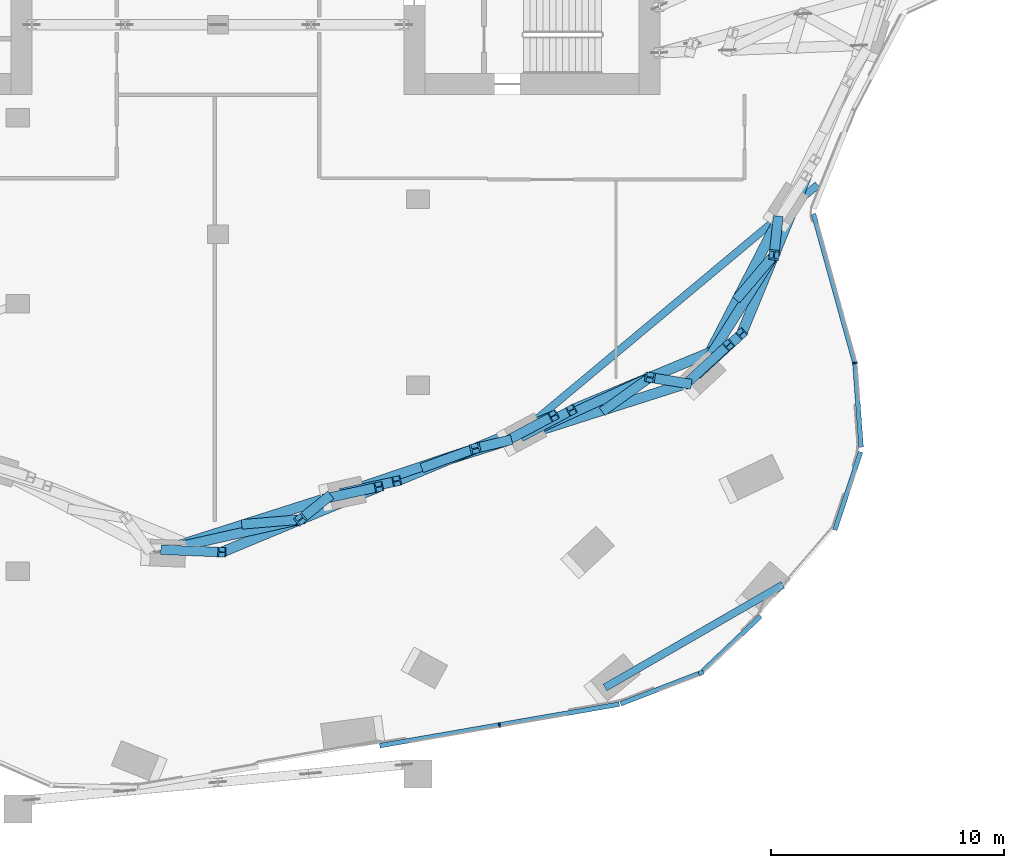
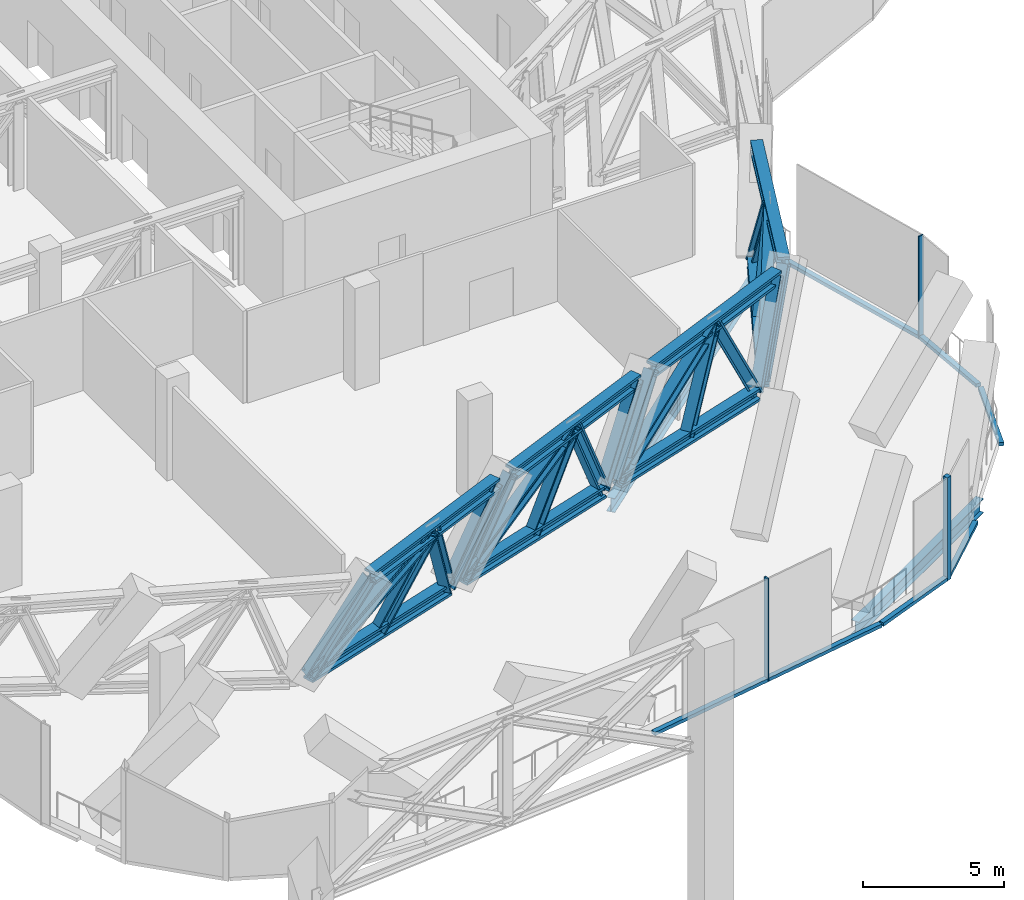
# One storey, part 4 of 31: 36 members, 2 beams, 6 elements without a shape of their own.
"""IFC4 building model written with IfcOpenShell, lengths in metres."""

from ifc_helpers import new_model, si_unit, direction, frame, origin, origin_2d, place, context, subcontext, project, spatial, rectangle, i_section, extrude, material, material_profile, profile_set, type_object, element, aggregate, save


model = new_model("IFC4")

# Units and contexts
model_context = context("Model", 3, precision=1e-05, world=origin(), true_north=direction((0.0, 1.0)))
body_context = subcontext(model_context, "Body", "Model", "MODEL_VIEW")
ifc_project = project(units=[si_unit("LENGTHUNIT", "METRE"), si_unit("AREAUNIT", "SQUARE_METRE"), si_unit("VOLUMEUNIT", "CUBIC_METRE"), si_unit("PLANEANGLEUNIT", "RADIAN"), si_unit("MASSUNIT", "GRAM", prefix="KILO")], contexts=[model_context])

# Site, building, storey
site_placement = place(None, origin())
site = spatial("IfcSite", under=ifc_project, at=site_placement, CompositionType="ELEMENT")
building_placement = place(site_placement, origin())
building = spatial("IfcBuilding", under=site, at=building_placement, Name="Orlundy Tower", CompositionType="ELEMENT")
storey_placement = place(building_placement, frame((0.0, 0.0, 271.0)))
storey = spatial("IfcBuildingStorey", under=building, at=storey_placement, Name="L72", CompositionType="ELEMENT", Elevation=271.0)

# Members
ifc_material_1 = material(Name="Steel ASTM A992 Gr 50", Category="steel")
ifc_material_profile_1 = material_profile(ifc_material_1, i_section(OverallWidth=0.4423828125, OverallDepth=0.531494140625, WebThickness=0.06591796875, FlangeThickness=0.105712890625, at=origin_2d()), Name="W14X605")
ifc_profile_set_1 = profile_set([ifc_material_profile_1], Name="Steel ASTM A992 Gr 50")
member_type_1 = type_object("IfcMemberType", Name="BELT TRUSS chord W14X605", PredefinedType="CHORD", material=ifc_profile_set_1)
member_1_placement = place(storey_placement, frame((-2.279052734375, -31.578857421875, 0.28466796875), z_axis=(0.952659211219, 0.304040173793, 0.0), x_axis=(-0.304040173793, 0.952659211219, 0.0)))
element("IfcMember", 1, at=member_1_placement, inside=storey, type_object=member_type_1, Name="Belt truss bottom chord BT-06", PredefinedType="CHORD", context=body_context, shape_type="SweptSolid", body=[
    extrude(i_section(OverallWidth=0.4423828125, OverallDepth=0.531494140625, WebThickness=0.06591796875, FlangeThickness=0.105712890625, at=origin_2d()), origin(), (0.0, 0.0, 1.0), 7.311279296875),
])
member_2_placement = place(storey_placement, frame((0.172119140625, -31.6787109375, 3.71533203125), z_axis=(0.923180628651, 0.384366396664, 0.0), x_axis=(-0.384366396664, 0.923180628651, 0.0)))
element("IfcMember", 2, at=member_2_placement, inside=storey, type_object=member_type_1, Name="Belt truss top chord BT-06", PredefinedType="CHORD", context=body_context, shape_type="SweptSolid", body=[
    extrude(i_section(OverallWidth=0.4423828125, OverallDepth=0.531494140625, WebThickness=0.06591796875, FlangeThickness=0.105712890625, at=origin_2d()), origin(), (0.0, 0.0, 1.0), 7.310791015625),
])
member_3_placement = place(storey_placement, frame((5.452880859375, -29.111083984375, 0.28466796875), z_axis=(0.952662297903, 0.304030502012, 0.0), x_axis=(-0.304030502012, 0.952662297903, 0.0)))
element("IfcMember", 3, at=member_3_placement, inside=storey, type_object=member_type_1, Name="Belt truss bottom chord BT-07", PredefinedType="CHORD", context=body_context, shape_type="SweptSolid", body=[
    extrude(i_section(OverallWidth=0.4423828125, OverallDepth=0.531494140625, WebThickness=0.06591796875, FlangeThickness=0.105712890625, at=origin_2d()), origin(), (0.0, 0.0, 1.0), 7.3115234375),
])
member_4_placement = place(storey_placement, frame((7.688232421875, -28.623779296875, 3.71533203125), z_axis=(0.923180628651, 0.384366396664, 0.0), x_axis=(-0.384366396664, 0.923180628651, 0.0)))
element("IfcMember", 4, at=member_4_placement, inside=storey, type_object=member_type_1, Name="Belt truss top chord BT-07", PredefinedType="CHORD", context=body_context, shape_type="SweptSolid", body=[
    extrude(i_section(OverallWidth=0.4423828125, OverallDepth=0.531494140625, WebThickness=0.06591796875, FlangeThickness=0.105712890625, at=origin_2d()), origin(), (0.0, 0.0, 1.0), 7.310791015625),
])
member_5_placement = place(storey_placement, frame((13.18505859375, -26.6435546875, 0.28466796875), z_axis=(0.952688223983, 0.303949252154, 0.0), x_axis=(-0.303949252154, 0.952688223983, 0.0)))
element("IfcMember", 5, at=member_5_placement, inside=storey, type_object=member_type_1, Name="Belt truss bottom chord BT-08", PredefinedType="CHORD", context=body_context, shape_type="SweptSolid", body=[
    extrude(i_section(OverallWidth=0.4423828125, OverallDepth=0.531494140625, WebThickness=0.06591796875, FlangeThickness=0.105712890625, at=origin_2d()), origin(), (0.0, 0.0, 1.0), 7.31103515625),
])
member_6_placement = place(storey_placement, frame((15.204345703125, -25.569091796875, 3.71533203125), z_axis=(0.923180628651, 0.384366396664, 0.0), x_axis=(-0.384366396664, 0.923180628651, 0.0)))
element("IfcMember", 6, at=member_6_placement, inside=storey, type_object=member_type_1, Name="Belt truss top chord BT-08", PredefinedType="CHORD", context=body_context, shape_type="SweptSolid", body=[
    extrude(i_section(OverallWidth=0.4423828125, OverallDepth=0.531494140625, WebThickness=0.06591796875, FlangeThickness=0.105712890625, at=origin_2d()), origin(), (0.0, 0.0, 1.0), 7.310791015625),
])
member_7_placement = place(storey_placement, frame((20.71826171875, -23.94140625, 0.28466796875), z_axis=(0.458662481074, 0.888610560625, 0.0), x_axis=(-0.888610560625, 0.458662481074, 0.0)))
element("IfcMember", 7, at=member_7_placement, inside=storey, type_object=member_type_1, Name="Belt truss bottom chord BT-09", PredefinedType="CHORD", context=body_context, shape_type="SweptSolid", body=[
    extrude(i_section(OverallWidth=0.4423828125, OverallDepth=0.531494140625, WebThickness=0.06591796875, FlangeThickness=0.105712890625, at=origin_2d()), origin(), (0.0, 0.0, 1.0), 7.31201171875),
])
member_8_placement = place(storey_placement, frame((22.521484375, -22.279052734375, 3.71533203125), z_axis=(0.381041994543, 0.924557731239, 0.0), x_axis=(-0.924557731239, 0.381041994543, 0.0)))
element("IfcMember", 8, at=member_8_placement, inside=storey, type_object=member_type_1, Name="Belt truss top chord BT-09", PredefinedType="CHORD", context=body_context, shape_type="SweptSolid", body=[
    extrude(i_section(OverallWidth=0.4423828125, OverallDepth=0.531494140625, WebThickness=0.06591796875, FlangeThickness=0.105712890625, at=origin_2d()), origin(), (0.0, 0.0, 1.0), 7.311767578125),
])
ifc_material_2 = material(Name="Steel ASTM A992 Gr 50", Category="steel")
ifc_material_profile_2 = material_profile(ifc_material_2, i_section(OverallWidth=0.42431640625, OverallDepth=0.47412109375, WebThickness=0.0478515625, FlangeThickness=0.0771484375, at=origin_2d()), Name="W14X426")
ifc_profile_set_2 = profile_set([ifc_material_profile_2], Name="Steel ASTM A992 Gr 50")
member_type_2 = type_object("IfcMemberType", Name="BELT TRUSS diagonal W14X426", PredefinedType="BRACE", material=ifc_profile_set_2)
member_9_placement = place(storey_placement, frame((-2.279052734375, -31.578857421875, 0.28466796875), z_axis=(0.84607737973, 0.189545726524, 0.498222324937), x_axis=(-0.218610087348, 0.975812292252, 0.0)))
element("IfcMember", 9, at=member_9_placement, inside=storey, type_object=member_type_2, Name="Belt truss diagonal BT-06-0", PredefinedType="BRACE", context=body_context, shape_type="SweptSolid", body=[
    extrude(i_section(OverallWidth=0.42431640625, OverallDepth=0.47412109375, WebThickness=0.0478515625, FlangeThickness=0.0771484375, at=origin_2d()), origin(), (0.0, 0.0, 1.0), 6.8857421875),
])
member_10_placement = place(storey_placement, frame((3.546875, -30.273681640625, 3.71533203125), z_axis=(0.305443726145, 0.246070074277, -0.919866103683), x_axis=(-0.627357652643, 0.778731260237, 0.0)))
element("IfcMember", 10, at=member_10_placement, inside=storey, type_object=member_type_2, Name="Belt truss diagonal BT-06-1", PredefinedType="BRACE", context=body_context, shape_type="SweptSolid", body=[
    extrude(i_section(OverallWidth=0.42431640625, OverallDepth=0.47412109375, WebThickness=0.0478515625, FlangeThickness=0.0771484375, at=origin_2d()), origin(), (0.0, 0.0, 1.0), 3.7294921875),
])
member_11_placement = place(storey_placement, frame((5.452880859375, -29.111083984375, 0.28466796875), z_axis=(0.819865569059, 0.276511517482, 0.501359979826), x_axis=(-0.319578270648, 0.947559881448, 0.0)))
element("IfcMember", 11, at=member_11_placement, inside=storey, type_object=member_type_2, Name="Belt truss diagonal BT-07-0", PredefinedType="BRACE", context=body_context, shape_type="SweptSolid", body=[
    extrude(i_section(OverallWidth=0.42431640625, OverallDepth=0.47412109375, WebThickness=0.0478515625, FlangeThickness=0.0771484375, at=origin_2d()), origin(), (0.0, 0.0, 1.0), 6.8427734375),
])
member_12_placement = place(storey_placement, frame((11.06298828125, -27.218994140625, 3.71533203125), z_axis=(0.365935933015, 0.089325020579, -0.926343313047), x_axis=(-0.237137474204, 0.971476102809, 0.0)))
element("IfcMember", 12, at=member_12_placement, inside=storey, type_object=member_type_2, Name="Belt truss diagonal BT-07-1", PredefinedType="BRACE", context=body_context, shape_type="SweptSolid", body=[
    extrude(i_section(OverallWidth=0.42431640625, OverallDepth=0.47412109375, WebThickness=0.0478515625, FlangeThickness=0.0771484375, at=origin_2d()), origin(), (0.0, 0.0, 1.0), 3.703369140625),
])
member_13_placement = place(storey_placement, frame((13.18505859375, -26.6435546875, 0.28466796875), z_axis=(0.786692932008, 0.361620956707, 0.50034439579), x_axis=(-0.417659850972, 0.90860346075, 0.0)))
element("IfcMember", 13, at=member_13_placement, inside=storey, type_object=member_type_2, Name="Belt truss diagonal BT-08-0", PredefinedType="BRACE", context=body_context, shape_type="SweptSolid", body=[
    extrude(i_section(OverallWidth=0.42431640625, OverallDepth=0.47412109375, WebThickness=0.0478515625, FlangeThickness=0.0771484375, at=origin_2d()), origin(), (0.0, 0.0, 1.0), 6.856689453125),
])
member_14_placement = place(storey_placement, frame((18.5791015625, -24.1640625, 3.71533203125), z_axis=(0.415395771987, -0.068038406165, -0.907092678783), x_axis=(0.161637923604, 0.986850131303, 0.0)))
element("IfcMember", 14, at=member_14_placement, inside=storey, type_object=member_type_2, Name="Belt truss diagonal BT-08-1", PredefinedType="BRACE", context=body_context, shape_type="SweptSolid", body=[
    extrude(i_section(OverallWidth=0.42431640625, OverallDepth=0.47412109375, WebThickness=0.0478515625, FlangeThickness=0.0771484375, at=origin_2d()), origin(), (0.0, 0.0, 1.0), 3.781982421875),
])
member_15_placement = place(storey_placement, frame((20.71826171875, -23.94140625, 0.28466796875), z_axis=(0.464222757905, 0.732304043517, 0.498224867798), x_axis=(-0.844594724671, 0.53540615523, 0.0)))
element("IfcMember", 15, at=member_15_placement, inside=storey, type_object=member_type_2, Name="Belt truss diagonal BT-09-0", PredefinedType="BRACE", context=body_context, shape_type="SweptSolid", body=[
    extrude(i_section(OverallWidth=0.42431640625, OverallDepth=0.47412109375, WebThickness=0.0478515625, FlangeThickness=0.0771484375, at=origin_2d()), origin(), (0.0, 0.0, 1.0), 6.8857421875),
])
member_16_placement = place(storey_placement, frame((23.914794921875, -18.89892578125, 3.71533203125), z_axis=(0.042154122783, 0.390122005877, -0.91979772258), x_axis=(-0.994212827415, 0.107428365915, 0.0)))
element("IfcMember", 16, at=member_16_placement, inside=storey, type_object=member_type_2, Name="Belt truss diagonal BT-09-1", PredefinedType="BRACE", context=body_context, shape_type="SweptSolid", body=[
    extrude(i_section(OverallWidth=0.42431640625, OverallDepth=0.47412109375, WebThickness=0.0478515625, FlangeThickness=0.0771484375, at=origin_2d()), origin(), (0.0, 0.0, 1.0), 3.729736328125),
])
ifc_material_3 = material(Name="Steel ASTM A992 Gr 50", Category="steel")
ifc_material_profile_3 = material_profile(ifc_material_3, i_section(OverallWidth=0.412109375, OverallDepth=0.434814453125, WebThickness=0.035888671875, FlangeThickness=0.057373046875, at=origin_2d()), Name="W14X311")
ifc_profile_set_3 = profile_set([ifc_material_profile_3], Name="Steel ASTM A992 Gr 50")
member_type_3 = type_object("IfcMemberType", Name="BELT TRUSS post W14X311", PredefinedType="POST", material=ifc_profile_set_3)
member_17_placement = place(storey_placement, frame((-2.279052734375, -31.578857421875, 0.28466796875), z_axis=(0.581184777413, -0.023675754379, 0.813427140658), x_axis=(0.040703292086, 0.999171277616, 0.0)))
element("IfcMember", 17, at=member_17_placement, inside=storey, type_object=member_type_3, Name="Belt truss post BT-06-0", PredefinedType="POST", context=body_context, shape_type="SweptSolid", body=[
    extrude(i_section(OverallWidth=0.412109375, OverallDepth=0.434814453125, WebThickness=0.035888671875, FlangeThickness=0.057373046875, at=origin_2d()), origin(), (0.0, 0.0, 1.0), 4.217529296875),
])
member_18_placement = place(storey_placement, frame((1.20361328125, -30.46728515625, 0.28466796875), z_axis=(0.563410828624, 0.04654977986, 0.824864447158), x_axis=(-0.0823408162, 0.996604229365, 0.0)))
element("IfcMember", 18, at=member_18_placement, inside=storey, type_object=member_type_3, Name="Belt truss post BT-06-1", PredefinedType="POST", context=body_context, shape_type="SweptSolid", body=[
    extrude(i_section(OverallWidth=0.412109375, OverallDepth=0.434814453125, WebThickness=0.035888671875, FlangeThickness=0.057373046875, at=origin_2d()), origin(), (0.0, 0.0, 1.0), 4.1591796875),
])
for number, where, z_axis, x_axis, name in (
    (19, (4.68603515625, -29.35595703125, 0.28466796875), (0.542093106155, 0.118175823491, 0.83196727039), (-0.212996683357, 0.977052922251, 0.0), "Belt truss post BT-06-2"),
    (20, (5.452880859375, -29.111083984375, 0.28466796875), (0.542093106155, 0.118175823491, 0.83196727039), (-0.212996683357, 0.977052922251, 0.0), "Belt truss post BT-07-0"),
):
    element("IfcMember", number, at=place(storey_placement, frame(where, z_axis=z_axis, x_axis=x_axis)), inside=storey, type_object=member_type_3, Name=name, PredefinedType="POST", context=body_context, shape_type="SweptSolid", body=[
        extrude(i_section(OverallWidth=0.412109375, OverallDepth=0.434814453125, WebThickness=0.035888671875, FlangeThickness=0.057373046875, at=origin_2d()), origin(), (0.0, 0.0, 1.0), 4.12353515625),
    ])
member_19_placement = place(storey_placement, frame((8.935546875, -27.999755859375, 0.28466796875), z_axis=(0.517427320339, 0.189893570168, 0.834391634771), x_axis=(-0.344526866326, 0.938776458151, 0.0)))
element("IfcMember", 21, at=member_19_placement, inside=storey, type_object=member_type_3, Name="Belt truss post BT-07-1", PredefinedType="POST", context=body_context, shape_type="SweptSolid", body=[
    extrude(i_section(OverallWidth=0.412109375, OverallDepth=0.434814453125, WebThickness=0.035888671875, FlangeThickness=0.057373046875, at=origin_2d()), origin(), (0.0, 0.0, 1.0), 4.111572265625),
])
for number, where, z_axis, x_axis, name in (
    (22, (12.418212890625, -26.88818359375, 0.28466796875), (0.489728221646, 0.260584440027, 0.832022847366), (-0.469740417272, 0.882804587879, 0.0), "Belt truss post BT-07-2"),
    (23, (13.18505859375, -26.6435546875, 0.28466796875), (0.489728221646, 0.260584440027, 0.832022847366), (-0.469740417272, 0.882804587879, 0.0), "Belt truss post BT-08-0"),
):
    element("IfcMember", number, at=place(storey_placement, frame(where, z_axis=z_axis, x_axis=x_axis)), inside=storey, type_object=member_type_3, Name=name, PredefinedType="POST", context=body_context, shape_type="SweptSolid", body=[
        extrude(i_section(OverallWidth=0.412109375, OverallDepth=0.434814453125, WebThickness=0.035888671875, FlangeThickness=0.057373046875, at=origin_2d()), origin(), (0.0, 0.0, 1.0), 4.123291015625),
    ])
member_20_placement = place(storey_placement, frame((16.667724609375, -25.532470703125, 0.28466796875), z_axis=(0.45960162691, 0.329041655234, 0.824922986504), x_axis=(-0.582122043971, 0.81310142413, 0.0)))
element("IfcMember", 24, at=member_20_placement, inside=storey, type_object=member_type_3, Name="Belt truss post BT-08-1", PredefinedType="POST", context=body_context, shape_type="SweptSolid", body=[
    extrude(i_section(OverallWidth=0.412109375, OverallDepth=0.434814453125, WebThickness=0.035888671875, FlangeThickness=0.057373046875, at=origin_2d()), origin(), (0.0, 0.0, 1.0), 4.15869140625),
])
for number, where, z_axis, x_axis, name in (
    (25, (20.150146484375, -24.42138671875, 0.28466796875), (0.427638431537, 0.394177620189, 0.813479794227), (-0.677754889983, 0.735287908988, 0.0), "Belt truss post BT-08-2"),
    (26, (20.71826171875, -23.94140625, 0.28466796875), (0.427591125839, 0.394187378261, 0.813499932344), (-0.67780449638, 0.735242180976, 0.0), "Belt truss post BT-09-0"),
):
    element("IfcMember", number, at=place(storey_placement, frame(where, z_axis=z_axis, x_axis=x_axis)), inside=storey, type_object=member_type_3, Name=name, PredefinedType="POST", context=body_context, shape_type="SweptSolid", body=[
        extrude(i_section(OverallWidth=0.412109375, OverallDepth=0.434814453125, WebThickness=0.035888671875, FlangeThickness=0.057373046875, at=origin_2d()), origin(), (0.0, 0.0, 1.0), 4.21728515625),
    ])
member_21_placement = place(storey_placement, frame((22.39501953125, -20.692626953125, 0.28466796875), z_axis=(0.365426322325, 0.431291114879, 0.824894888564), x_axis=(-0.76296070699, 0.646444861987, 0.0)))
element("IfcMember", 27, at=member_21_placement, inside=storey, type_object=member_type_3, Name="Belt truss post BT-09-1", PredefinedType="POST", context=body_context, shape_type="SweptSolid", body=[
    extrude(i_section(OverallWidth=0.412109375, OverallDepth=0.434814453125, WebThickness=0.035888671875, FlangeThickness=0.057373046875, at=origin_2d()), origin(), (0.0, 0.0, 1.0), 4.158935546875),
])

# Beams
ifc_material_4 = material(Name="Steel ASTM A992 Gr 50", Category="steel")
ifc_material_profile_4 = material_profile(ifc_material_4, i_section(OverallWidth=0.32373046875, OverallDepth=0.611083984375, WebThickness=0.0126953125, FlangeThickness=0.01904296875, at=origin_2d()), Name="W24X104")
ifc_profile_set_4 = profile_set([ifc_material_profile_4], Name="Steel ASTM A992 Gr 50")
beam_type = type_object("IfcBeamType", Name="CANTILEVER GIRDER beam W24X104", PredefinedType="BEAM", material=ifc_profile_set_4)
beam_1_placement = place(storey_placement, frame((24.288818359375, -33.083984375, -0.755615234375), z_axis=(-0.865922870998, -0.500177549958, 0.0), x_axis=(0.500177549958, -0.865922870998, 0.0)))
element("IfcBeam", 28, at=beam_1_placement, inside=storey, type_object=beam_type, Name="Cantilever girder C-B5-5 L72", PredefinedType="BEAM", context=body_context, shape_type="SweptSolid", body=[
    extrude(i_section(OverallWidth=0.32373046875, OverallDepth=0.611083984375, WebThickness=0.0126953125, FlangeThickness=0.01904296875, at=origin_2d()), origin(), (0.0, 0.0, 1.0), 8.822509765625),
])
beam_2_placement = place(storey_placement, frame((25.785400390625, -15.88525390625, -0.755615234375), z_axis=(-0.767927718765, -0.640536508525, 0.0), x_axis=(0.640536508525, -0.767927718765, 0.0)))
element("IfcBeam", 29, at=beam_2_placement, inside=storey, type_object=beam_type, Name="Cantilever girder C-H09 L72", PredefinedType="BEAM", context=body_context, shape_type="SweptSolid", body=[
    extrude(i_section(OverallWidth=0.32373046875, OverallDepth=0.611083984375, WebThickness=0.0126953125, FlangeThickness=0.01904296875, at=origin_2d()), origin(), (0.0, 0.0, 1.0), 16.705810546875),
])

# Curtain wall, member
ifc_material_5 = material(Name="Aluminium bronze anodised", Category="aluminium")
curtain_wall_type = type_object("IfcCurtainWallType", Name="CW4 wall", PredefinedType="NOTDEFINED", material=ifc_material_5)
curtain_wall_1_placement = place(storey_placement, origin())
curtain_wall_1 = element("IfcCurtainWall", 30, at=curtain_wall_1_placement, inside=storey, type_object=curtain_wall_type, Name="CW4 run 039", PredefinedType="NOTDEFINED")
ifc_material_6 = material(Name="Aluminium bronze anodised", Category="aluminium")
ifc_material_profile_5 = material_profile(ifc_material_6, rectangle(XDim=0.199951171875, YDim=0.199951171875, at=origin_2d()), Name="CW4 corner post 200x200")
ifc_profile_set_5 = profile_set([ifc_material_profile_5], Name="Aluminium bronze anodised")
member_type_4 = type_object("IfcMemberType", Name="CW4 corner post 200x200", PredefinedType="MULLION", material=ifc_profile_set_5)
member_22_placement = place(storey_placement, frame((20.775634765625, -36.8642578125, -0.449951171875), z_axis=(0.0, 0.0, 1.0), x_axis=(0.359828461467, -0.933018476944, 0.0)))
member_22 = element("IfcMember", 31, at=member_22_placement, type_object=member_type_4, Name="CW4 mullion 52", PredefinedType="MULLION", context=body_context, shape_type="SweptSolid", body=[
    extrude(rectangle(XDim=0.199951171875, YDim=0.199951171875, at=origin_2d()), origin(), (0.0, 0.0, 1.0), 4.449951171875),
])

curtain_wall_2_placement = place(storey_placement, origin())
curtain_wall_2 = element("IfcCurtainWall", 32, at=curtain_wall_2_placement, inside=storey, type_object=curtain_wall_type, Name="CW4 run 033", PredefinedType="NOTDEFINED")
ifc_material_7 = material(Name="Aluminium bronze anodised", Category="aluminium")
ifc_material_profile_6 = material_profile(ifc_material_7, rectangle(XDim=0.199951171875, YDim=0.06005859375, at=origin_2d()), Name="CW4 mullion 60x200")
ifc_profile_set_6 = profile_set([ifc_material_profile_6], Name="Aluminium bronze anodised")
member_type_5 = type_object("IfcMemberType", Name="CW4 mullion 60x200", PredefinedType="MULLION", material=ifc_profile_set_6)
member_23_placement = place(storey_placement, frame((27.388916015625, -23.546875, -0.449951171875), z_axis=(0.0, 0.0, 1.0), x_axis=(0.985199614066, 0.171410969437, 0.0)))
member_23 = element("IfcMember", 33, at=member_23_placement, type_object=member_type_5, Name="CW4 mullion 46", PredefinedType="MULLION", context=body_context, shape_type="SweptSolid", body=[
    extrude(rectangle(XDim=0.199951171875, YDim=0.06005859375, at=origin_2d()), origin(), (0.0, 0.0, 1.0), 4.449951171875),
])

curtain_wall_3_placement = place(storey_placement, origin())
curtain_wall_3 = element("IfcCurtainWall", 34, at=curtain_wall_3_placement, inside=storey, type_object=curtain_wall_type, Name="CW4 run 040", PredefinedType="NOTDEFINED")
member_24_placement = place(storey_placement, frame((12.1064453125, -39.10693359375, -0.449951171875), z_axis=(0.0, 0.0, 1.0), x_axis=(0.170766381732, -0.985311546096, 0.0)))
member_24 = element("IfcMember", 35, at=member_24_placement, type_object=member_type_5, Name="CW4 mullion 54", PredefinedType="MULLION", context=body_context, shape_type="SweptSolid", body=[
    extrude(rectangle(XDim=0.199951171875, YDim=0.06005859375, at=origin_2d()), origin(), (0.0, 0.0, 1.0), 4.449951171875),
])

curtain_wall_4_placement = place(storey_placement, origin())
curtain_wall_4 = element("IfcCurtainWall", 36, at=curtain_wall_4_placement, inside=storey, type_object=curtain_wall_type, Name="CW4 run 032", PredefinedType="NOTDEFINED")
ifc_material_8 = material(Name="Aluminium bronze anodised", Category="aluminium")
ifc_material_profile_7 = material_profile(ifc_material_8, rectangle(XDim=0.199951171875, YDim=0.14990234375, at=origin_2d()), Name="CW4 transom 200x150")
ifc_profile_set_7 = profile_set([ifc_material_profile_7], Name="Aluminium bronze anodised")
member_type_6 = type_object("IfcMemberType", Name="CW4 transom 200x150", PredefinedType="USERDEFINED", material=ifc_profile_set_7)
member_25_placement = place(storey_placement, frame((25.609130859375, -17.12939453125, -0.375), z_axis=(0.267246879119, -0.963628095066, 0.0), x_axis=(0.963628095066, 0.267246879119, 0.0)))
member_25 = element("IfcMember", 37, at=member_25_placement, type_object=member_type_6, Name="CW4 transom", ObjectType="TRANSOM", PredefinedType="USERDEFINED", context=body_context, shape_type="SweptSolid", body=[
    extrude(rectangle(XDim=0.199951171875, YDim=0.14990234375, at=origin_2d()), origin(), (0.0, 0.0, 1.0), 6.629638671875),
])
aggregate(curtain_wall_4, [member_25])

# Member
member_26_placement = place(storey_placement, frame((27.39111328125, -23.576904296875, -0.375), z_axis=(0.073951656029, -0.997261827491, 0.0), x_axis=(0.997261827491, 0.073951656029, 0.0)))
member_26 = element("IfcMember", 38, at=member_26_placement, type_object=member_type_6, Name="CW4 transom", ObjectType="TRANSOM", PredefinedType="USERDEFINED", context=body_context, shape_type="SweptSolid", body=[
    extrude(rectangle(XDim=0.199951171875, YDim=0.14990234375, at=origin_2d()), origin(), (0.0, 0.0, 1.0), 3.598388671875),
])

aggregate(curtain_wall_2, [member_23, member_26])

# Curtain wall, member
curtain_wall_5_placement = place(storey_placement, origin())
curtain_wall_5 = element("IfcCurtainWall", 39, at=curtain_wall_5_placement, inside=storey, type_object=curtain_wall_type, Name="CW4 run 034", PredefinedType="NOTDEFINED")
member_27_placement = place(storey_placement, frame((27.6337890625, -27.368408203125, -0.375), z_axis=(-0.31297538264, -0.949761238344, 0.0), x_axis=(0.949761238344, -0.31297538264, 0.0)))
member_27 = element("IfcMember", 40, at=member_27_placement, type_object=member_type_6, Name="CW4 transom", ObjectType="TRANSOM", PredefinedType="USERDEFINED", context=body_context, shape_type="SweptSolid", body=[
    extrude(rectangle(XDim=0.199951171875, YDim=0.14990234375, at=origin_2d()), origin(), (0.0, 0.0, 1.0), 3.53759765625),
])
aggregate(curtain_wall_5, [member_27])

curtain_wall_6_placement = place(storey_placement, origin())
curtain_wall_6 = element("IfcCurtainWall", 41, at=curtain_wall_6_placement, inside=storey, type_object=curtain_wall_type, Name="CW4 run 038", PredefinedType="NOTDEFINED")
member_28_placement = place(storey_placement, frame((23.336669921875, -34.427001953125, -0.375), z_axis=(-0.724414013546, -0.689365169543, 0.0), x_axis=(0.689365169543, -0.724414013546, 0.0)))
member_28 = element("IfcMember", 42, at=member_28_placement, type_object=member_type_6, Name="CW4 transom", ObjectType="TRANSOM", PredefinedType="USERDEFINED", context=body_context, shape_type="SweptSolid", body=[
    extrude(rectangle(XDim=0.199951171875, YDim=0.14990234375, at=origin_2d()), origin(), (0.0, 0.0, 1.0), 3.42724609375),
])
aggregate(curtain_wall_6, [member_28])

# Member
member_29_placement = place(storey_placement, frame((20.68212890625, -36.900146484375, -0.375), z_axis=(-0.93301724182, -0.359831664068, 0.0), x_axis=(0.359831664068, -0.93301724182, 0.0)))
member_29 = element("IfcMember", 43, at=member_29_placement, type_object=member_type_6, Name="CW4 transom", ObjectType="TRANSOM", PredefinedType="USERDEFINED", context=body_context, shape_type="SweptSolid", body=[
    extrude(rectangle(XDim=0.199951171875, YDim=0.14990234375, at=origin_2d()), origin(), (0.0, 0.0, 1.0), 3.60693359375),
])

aggregate(curtain_wall_1, [member_22, member_29])

member_30_placement = place(storey_placement, frame((17.259033203125, -38.214111328125, -0.375), z_axis=(-0.98531514897, -0.170745592068, 0.0), x_axis=(0.170745592068, -0.98531514897, 0.0)))
member_30 = element("IfcMember", 44, at=member_30_placement, type_object=member_type_6, Name="CW4 transom", ObjectType="TRANSOM", PredefinedType="USERDEFINED", context=body_context, shape_type="SweptSolid", body=[
    extrude(rectangle(XDim=0.199951171875, YDim=0.14990234375, at=origin_2d()), origin(), (0.0, 0.0, 1.0), 10.449462890625),
])

aggregate(curtain_wall_3, [member_24, member_30])

save(model, "model.ifc")
